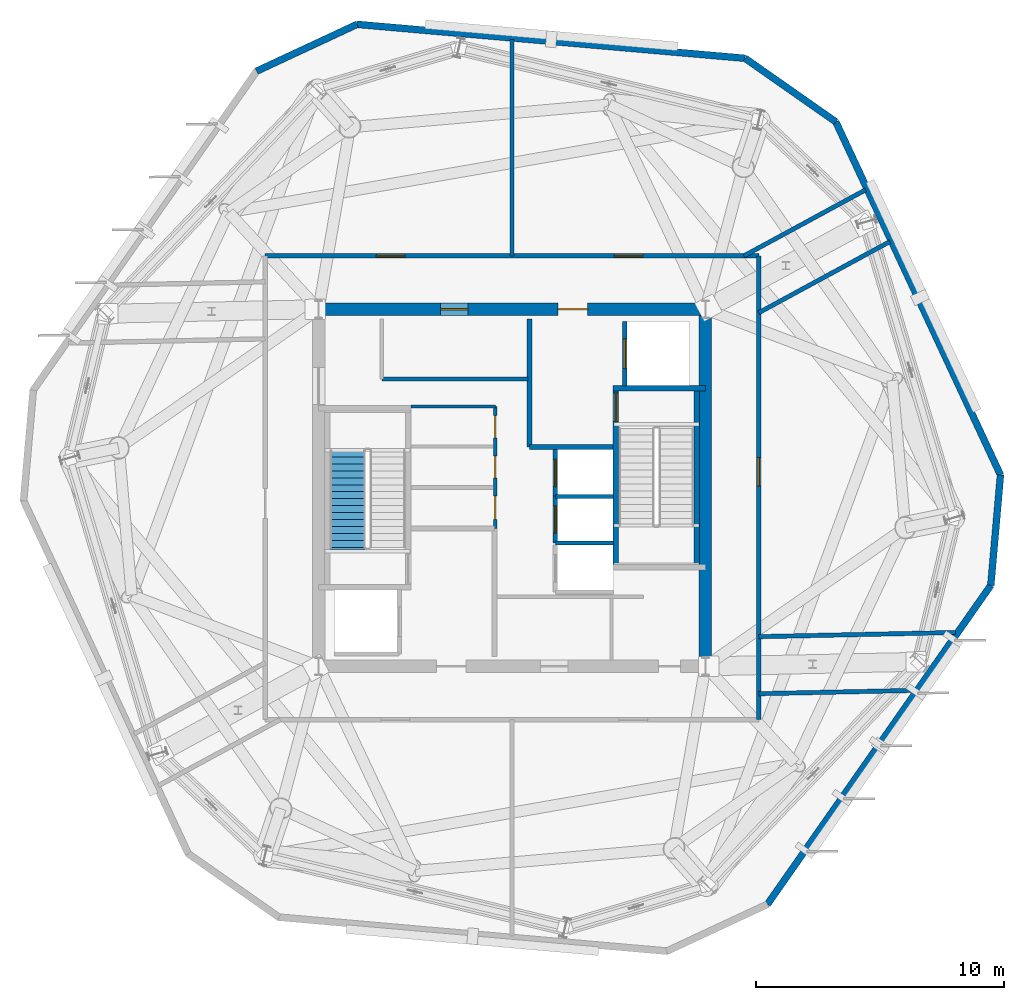
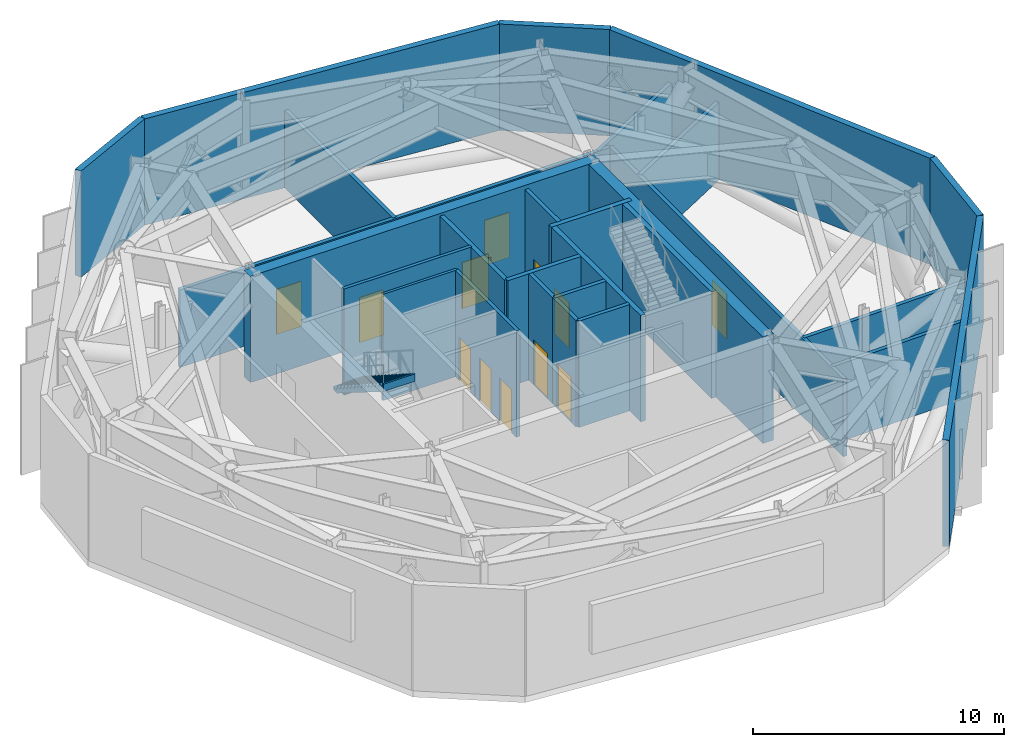
# One storey, part 6 of 10: 28 walls, 12 doors, 1 stair flight, 12 openings, 1 element without a shape of its own.
"""IFC4 building model written with IfcOpenShell, lengths in metres."""

from ifc_helpers import new_model, si_unit, direction, frame, frame_2d, origin, place, context, subcontext, project, spatial, polyline, rectangle, outline, extrude, material, layer, layer_set, type_object, element, fill, aggregate, save


model = new_model("IFC4")

# Units and contexts
model_context = context("Model", 3, precision=1e-05, world=origin(), true_north=direction((0.0, 1.0)))
body_context = subcontext(model_context, "Body", "Model", "MODEL_VIEW")
ifc_project = project(units=[si_unit("LENGTHUNIT", "METRE"), si_unit("AREAUNIT", "SQUARE_METRE"), si_unit("VOLUMEUNIT", "CUBIC_METRE"), si_unit("PLANEANGLEUNIT", "RADIAN"), si_unit("MASSUNIT", "GRAM", prefix="KILO")], contexts=[model_context])

# Site, building, storey
site_placement = place(None, origin())
site = spatial("IfcSite", under=ifc_project, at=site_placement, CompositionType="ELEMENT")
building_placement = place(site_placement, origin())
building = spatial("IfcBuilding", under=site, at=building_placement, Name="Kranzbogen Civic Tower", CompositionType="ELEMENT")
storey_placement = place(building_placement, frame((0.0, 0.0, 244.800048828125)))
storey = spatial("IfcBuildingStorey", under=building, at=storey_placement, Name="L59", CompositionType="ELEMENT", Elevation=244.800048828125)

# Walls
ifc_material_1 = material(Name="Double-Stud Acoustic Gypsum Partition")
ifc_layer_1 = layer(ifc_material_1, 0.14990234375, Name="Double-Stud Acoustic Gypsum Partition")
ifc_layer_set_1 = layer_set([ifc_layer_1], Name="Double-Stud Acoustic Gypsum Partition")
wall_type_1 = type_object("IfcWallType", Name="Acoustic Corridor and Clinical Partition 150 mm", PredefinedType="PARTITIONING", material=ifc_layer_set_1)
wall_1_placement = place(storey_placement, frame((19.75, 29.389892578125, 0.0), z_axis=(0.0, 0.0, 1.0), x_axis=(1.0, 0.0, 0.0)))
element("IfcWall", 1, at=wall_1_placement, inside=storey, type_object=wall_type_1, Name="L59 digital comms South wall", PredefinedType="PARTITIONING", context=body_context, shape_type="SweptSolid", body=[
    extrude(rectangle(XDim=5.89990234375, YDim=0.14990234375, at=frame_2d((2.949951171875, 0.0))), origin(), (0.0, 0.0, 1.0), 5.179931640625),
])
ifc_material_2 = material(Name="Insulated Metal-Stud Gypsum Partition")
ifc_layer_2 = layer(ifc_material_2, 0.125, Name="Insulated Metal-Stud Gypsum Partition")
ifc_layer_set_2 = layer_set([ifc_layer_2], Name="Insulated Metal-Stud Gypsum Partition")
wall_type_2 = type_object("IfcWallType", Name="Acoustic Inter-Room Partition 125 mm", PredefinedType="PARTITIONING", material=ifc_layer_set_2)
wall_2_placement = place(storey_placement, frame((20.919921875, 28.280029296875, 0.0), z_axis=(0.0, 0.0, 1.0), x_axis=(1.0, 0.0, 0.0)))
element("IfcWall", 2, at=wall_2_placement, inside=storey, type_object=wall_type_2, Name="L59 core auxiliary North wall", PredefinedType="PARTITIONING", context=body_context, shape_type="SweptSolid", body=[
    extrude(rectangle(XDim=3.405029296875, YDim=0.125, at=frame_2d((1.70263671875, 0.0))), origin(), (0.0, 0.0, 1.0), 5.179931640625),
])

# Wall, openings, doors
ifc_material_3 = material(Name="Concrete C45/55", Category="concrete")
ifc_layer_3 = layer(ifc_material_3, 0.5, Name="Concrete C45/55")
ifc_layer_set_3 = layer_set([ifc_layer_3], Name="Concrete C45/55")
wall_type_3 = type_object("IfcWallType", Name="Central Core Shear Wall 500 mm", PredefinedType="SHEAR", material=ifc_layer_set_3)
wall_3_placement = place(storey_placement, frame((33.050048828125, 32.199951171875, 0.0), z_axis=(0.0, 0.0, 1.0), x_axis=(-1.0, 0.0, 0.0)))
wall_3 = element("IfcWall", 3, at=wall_3_placement, inside=storey, type_object=wall_type_3, Name="L59 central core North shear wall", PredefinedType="SHEAR", context=body_context, shape_type="SweptSolid", body=[
    extrude(rectangle(XDim=16.10009765625, YDim=0.5, at=frame_2d((8.050048828125, 0.0))), origin(), (0.0, 0.0, 1.0), 5.179931640625),
])
opening_1_placement = place(wall_3_placement, frame((5.0, 0.0, 0.0)))
opening_1 = element("IfcOpeningElement", 4, at=opening_1_placement, cuts=wall_3, Name="Opening D-EX120", PredefinedType="OPENING", context=body_context, shape_type="SweptSolid", body=[
    extrude(rectangle(XDim=1.199951171875, YDim=2.25, at=frame_2d((0.60009765625, 1.125))), frame((0.0, 0.260009765625, 0.0), z_axis=(0.0, -1.0, 0.0), x_axis=(1.0, 0.0, 0.0)), (0.0, 0.0, 1.0), 0.52001953125),
])
opening_2_placement = place(wall_3_placement, frame((9.824951171875, 0.0, 0.0)))
opening_2 = element("IfcOpeningElement", 5, at=opening_2_placement, cuts=wall_3, Name="Opening D-COR60", PredefinedType="OPENING", context=body_context, shape_type="SweptSolid", body=[
    extrude(rectangle(XDim=1.10009765625, YDim=2.199951171875, at=frame_2d((0.550048828125, 1.10009765625))), frame((0.0, 0.260009765625, 0.0), z_axis=(0.0, -1.0, 0.0), x_axis=(1.0, 0.0, 0.0)), (0.0, 0.0, 1.0), 0.52001953125),
])
ifc_material_4 = material(Name="Oak Timber and Fire Core", Category="wood")
door_type_1 = type_object("IfcDoorType", Name="Corridor Acoustic Fire Door 1100x2200", OperationType="NOTDEFINED", PredefinedType="DOOR", material=ifc_material_4)
door_1_placement = place(opening_2_placement, origin())
door_1 = element("IfcDoor", 6, at=door_1_placement, inside=storey, type_object=door_type_1, Name="L59 DAT1 comms room door", OperationType="SINGLE_SWING_RIGHT", OverallHeight=2.199951171875, OverallWidth=1.10009765625, PredefinedType="DOOR", context=body_context, shape_type="SweptSolid", body=[
    extrude(rectangle(XDim=1.10009765625, YDim=2.199951171875, at=frame_2d((0.550048828125, 1.10009765625))), frame((0.0, 0.02490234375, 0.0), z_axis=(0.0, -1.0, 0.0), x_axis=(1.0, 0.0, 0.0)), (0.0, 0.0, 1.0), 0.050048828125),
])
fill(opening_2, door_1)
ifc_material_5 = material(Name="Steel S355", Category="steel")
door_type_2 = type_object("IfcDoorType", Name="Exit Passageway Fire Door 1200x2250", OperationType="NOTDEFINED", PredefinedType="DOOR", material=ifc_material_5)
door_2_placement = place(opening_1_placement, origin())
door_2 = element("IfcDoor", 7, at=door_2_placement, inside=storey, type_object=door_type_2, Name="L59 East firefighting lobby corridor door", OperationType="SINGLE_SWING_RIGHT", OverallHeight=2.25, OverallWidth=1.199951171875, PredefinedType="DOOR", context=body_context, shape_type="SweptSolid", body=[
    extrude(rectangle(XDim=1.199951171875, YDim=2.25, at=frame_2d((0.60009765625, 1.125))), frame((0.0, 0.02490234375, 0.0), z_axis=(0.0, -1.0, 0.0), x_axis=(1.0, 0.0, 0.0)), (0.0, 0.0, 1.0), 0.050048828125),
])
fill(opening_1, door_2)

# Wall
wall_4_placement = place(storey_placement, frame((32.800048828125, 18.050048828125, 0.0), z_axis=(0.0, 0.0, 1.0), x_axis=(0.0, 1.0, 0.0)))
element("IfcWall", 8, at=wall_4_placement, inside=storey, type_object=wall_type_3, Name="L59 central core East shear wall", PredefinedType="SHEAR", context=body_context, shape_type="SweptSolid", body=[
    extrude(rectangle(XDim=13.89990234375, YDim=0.5, at=frame_2d((6.949951171875, 0.0))), origin(), (0.0, 0.0, 1.0), 5.179931640625),
])

# Wall, opening, door
ifc_layer_4 = layer(ifc_material_3, 0.219970703125, Name="Concrete C45/55")
ifc_layer_set_4 = layer_set([ifc_layer_4], Name="Concrete C45/55")
wall_type_4 = type_object("IfcWallType", Name="Core Internal Stair Structural Wall 220 mm", PredefinedType="SOLIDWALL", material=ifc_layer_set_4)
wall_5_placement = place(storey_placement, frame((29.18994140625, 21.7900390625, 0.0), z_axis=(0.0, 0.0, 1.0), x_axis=(0.0, 1.0, 0.0)))
wall_5 = element("IfcWall", 9, at=wall_5_placement, inside=storey, type_object=wall_type_4, Name="L59 ST-T2 West structural stair wall", PredefinedType="SOLIDWALL", context=body_context, shape_type="SweptSolid", body=[
    extrude(rectangle(XDim=7.219970703125, YDim=0.219970703125, at=frame_2d((3.60986328125, 0.0))), origin(), (0.0, 0.0, 1.0), 5.179931640625),
])
opening_3_placement = place(wall_5_placement, frame((5.8798828125, 0.0, 0.0)))
opening_3 = element("IfcOpeningElement", 10, at=opening_3_placement, cuts=wall_5, Name="Opening D-ST90", PredefinedType="OPENING", context=body_context, shape_type="SweptSolid", body=[
    extrude(rectangle(XDim=1.14990234375, YDim=2.199951171875, at=frame_2d((0.574951171875, 1.10009765625))), frame((0.0, 0.1201171875, 0.0), z_axis=(0.0, -1.0, 0.0), x_axis=(1.0, 0.0, 0.0)), (0.0, 0.0, 1.0), 0.239990234375),
])
door_type_3 = type_object("IfcDoorType", Name="Pressurized Stair and Lobby Fire Door 1150x2200", OperationType="NOTDEFINED", PredefinedType="DOOR", material=ifc_material_5)
door_3_placement = place(opening_3_placement, origin())
door_3 = element("IfcDoor", 11, at=door_3_placement, inside=storey, type_object=door_type_3, Name="L59 Stair ST-T2 fire door", OperationType="SINGLE_SWING_RIGHT", OverallHeight=2.199951171875, OverallWidth=1.14990234375, PredefinedType="DOOR", context=body_context, shape_type="SweptSolid", body=[
    extrude(rectangle(XDim=1.14990234375, YDim=2.199951171875, at=frame_2d((0.574951171875, 1.10009765625))), frame((0.0, 0.02490234375, 0.0), z_axis=(0.0, -1.0, 0.0), x_axis=(1.0, 0.0, 0.0)), (0.0, 0.0, 1.0), 0.050048828125),
])
fill(opening_3, door_3)

# Walls
wall_6_placement = place(storey_placement, frame((29.080078125, 29.010009765625, 0.0), z_axis=(0.0, 0.0, 1.0), x_axis=(1.0, 0.0, 0.0)))
element("IfcWall", 12, at=wall_6_placement, inside=storey, type_object=wall_type_4, Name="L59 ST-T2 North structural stair wall", PredefinedType="SOLIDWALL", context=body_context, shape_type="SweptSolid", body=[
    extrude(rectangle(XDim=3.719970703125, YDim=0.219970703125, at=frame_2d((1.85986328125, 0.0))), origin(), (0.0, 0.0, 1.0), 5.179931640625),
])
wall_7_placement = place(storey_placement, frame((32.445068359375, 29.010009765625, 0.0), z_axis=(0.0, 0.0, 1.0), x_axis=(0.0, -1.0, 0.0)))
element("IfcWall", 13, at=wall_7_placement, inside=storey, type_object=wall_type_4, Name="L59 ST-T2 East structural stair wall", PredefinedType="SOLIDWALL", context=body_context, shape_type="SweptSolid", body=[
    extrude(rectangle(XDim=7.219970703125, YDim=0.219970703125, at=frame_2d((3.60986328125, 0.0))), origin(), (0.0, 0.0, 1.0), 5.179931640625),
])
ifc_material_6 = material(Name="Gypsum Fireboard and Concrete Block", Category="concrete")
ifc_layer_5 = layer(ifc_material_6, 0.199951171875, Name="Gypsum Fireboard and Concrete Block")
ifc_layer_set_5 = layer_set([ifc_layer_5], Name="Gypsum Fireboard and Concrete Block")
wall_type_5 = type_object("IfcWallType", Name="Fire-Rated Exit Passageway and Stair Wall 200 mm", PredefinedType="PARTITIONING", material=ifc_layer_set_5)
wall_8_placement = place(storey_placement, frame((25.699951171875, 26.64990234375, 0.0), z_axis=(0.0, 0.0, 1.0), x_axis=(0.0, 1.0, 0.0)))
element("IfcWall", 14, at=wall_8_placement, inside=storey, type_object=wall_type_5, Name="L59 East firefighting lobby West wall", PredefinedType="PARTITIONING", context=body_context, shape_type="SweptSolid", body=[
    extrude(rectangle(XDim=5.150146484375, YDim=0.199951171875, at=frame_2d((2.5751953125, 0.0))), origin(), (0.0, 0.0, 1.0), 5.179931640625),
])
wall_9_placement = place(storey_placement, frame((25.699951171875, 26.64990234375, 0.0), z_axis=(0.0, 0.0, 1.0), x_axis=(1.0, 0.0, 0.0)))
element("IfcWall", 15, at=wall_9_placement, inside=storey, type_object=wall_type_5, Name="L59 East firefighting lobby South wall", PredefinedType="PARTITIONING", context=body_context, shape_type="SweptSolid", body=[
    extrude(rectangle(XDim=3.380126953125, YDim=0.199951171875, at=frame_2d((1.68994140625, 0.0))), origin(), (0.0, 0.0, 1.0), 5.179931640625),
])

# Wall, opening, door
ifc_material_7 = material(Name="Gypsum Fireboard Shaftliner")
ifc_layer_6 = layer(ifc_material_7, 0.175048828125, Name="Gypsum Fireboard Shaftliner")
ifc_layer_set_6 = layer_set([ifc_layer_6], Name="Gypsum Fireboard Shaftliner")
wall_type_6 = type_object("IfcWallType", Name="Fire-Rated Lift and Service Shaft Wall 175 mm", PredefinedType="PARTITIONING", material=ifc_layer_set_6)
wall_10_placement = place(storey_placement, frame((26.75, 22.77490234375, 0.0), z_axis=(0.0, 0.0, 1.0), x_axis=(0.0, 1.0, 0.0)))
wall_10 = element("IfcWall", 16, at=wall_10_placement, inside=storey, type_object=wall_type_6, Name="L59 lift HP-02 landing wall", PredefinedType="PARTITIONING", context=body_context, shape_type="SweptSolid", body=[
    extrude(rectangle(XDim=1.900146484375, YDim=0.175048828125, at=frame_2d((0.9501953125, 0.0))), origin(), (0.0, 0.0, 1.0), 5.179931640625),
])
opening_4_placement = place(wall_10_placement, frame((0.39990234375, 0.0, 0.0)))
opening_4 = element("IfcOpeningElement", 17, at=opening_4_placement, cuts=wall_10, Name="Opening LD-HP-02", PredefinedType="OPENING", context=body_context, shape_type="SweptSolid", body=[
    extrude(rectangle(XDim=1.10009765625, YDim=2.199951171875, at=frame_2d((0.550048828125, 1.10009765625))), frame((0.0, 0.09765625, 0.0), z_axis=(0.0, -1.0, 0.0), x_axis=(1.0, 0.0, 0.0)), (0.0, 0.0, 1.0), 0.195068359375),
])
ifc_material_8 = material(Name="Pale Anodised Aluminium", Category="aluminium")
door_type_4 = type_object("IfcDoorType", Name="Passenger Lift Sliding Landing Door 1100x2200", OperationType="DOUBLE_DOOR_SLIDING", PredefinedType="DOOR", material=ifc_material_8)
door_4_placement = place(opening_4_placement, origin())
door_4 = element("IfcDoor", 18, at=door_4_placement, inside=storey, type_object=door_type_4, Name="L59 lift HP-02 sliding landing door", OperationType="DOUBLE_DOOR_SLIDING", OverallHeight=2.199951171875, OverallWidth=1.10009765625, PredefinedType="DOOR", context=body_context, shape_type="SweptSolid", body=[
    extrude(rectangle(XDim=1.10009765625, YDim=2.199951171875, at=frame_2d((0.550048828125, 1.10009765625))), frame((0.0, 0.02490234375, 0.0), z_axis=(0.0, -1.0, 0.0), x_axis=(1.0, 0.0, 0.0)), (0.0, 0.0, 1.0), 0.050048828125),
])
fill(opening_4, door_4)

# Wall
wall_11_placement = place(storey_placement, frame((26.75, 22.77490234375, 0.0), z_axis=(0.0, 0.0, 1.0), x_axis=(1.0, 0.0, 0.0)))
element("IfcWall", 19, at=wall_11_placement, inside=storey, type_object=wall_type_6, Name="L59 lift HP-02 side wall", PredefinedType="PARTITIONING", context=body_context, shape_type="SweptSolid", body=[
    extrude(rectangle(XDim=2.35009765625, YDim=0.175048828125, at=frame_2d((1.175048828125, 0.0))), origin(), (0.0, 0.0, 1.0), 5.179931640625),
])

# Wall, opening, door
wall_12_placement = place(storey_placement, frame((26.75, 24.64990234375, 0.0), z_axis=(0.0, 0.0, 1.0), x_axis=(0.0, 1.0, 0.0)))
wall_12 = element("IfcWall", 20, at=wall_12_placement, inside=storey, type_object=wall_type_6, Name="L59 lift HP-03 landing wall", PredefinedType="PARTITIONING", context=body_context, shape_type="SweptSolid", body=[
    extrude(rectangle(XDim=1.900146484375, YDim=0.175048828125, at=frame_2d((0.9501953125, 0.0))), origin(), (0.0, 0.0, 1.0), 5.179931640625),
])
opening_5_placement = place(wall_12_placement, frame((0.39990234375, 0.0, 0.0)))
opening_5 = element("IfcOpeningElement", 21, at=opening_5_placement, cuts=wall_12, Name="Opening LD-HP-03", PredefinedType="OPENING", context=body_context, shape_type="SweptSolid", body=[
    extrude(rectangle(XDim=1.10009765625, YDim=2.199951171875, at=frame_2d((0.550048828125, 1.10009765625))), frame((0.0, 0.09765625, 0.0), z_axis=(0.0, -1.0, 0.0), x_axis=(1.0, 0.0, 0.0)), (0.0, 0.0, 1.0), 0.195068359375),
])
door_5_placement = place(opening_5_placement, origin())
door_5 = element("IfcDoor", 22, at=door_5_placement, inside=storey, type_object=door_type_4, Name="L59 lift HP-03 sliding landing door", OperationType="DOUBLE_DOOR_SLIDING", OverallHeight=2.199951171875, OverallWidth=1.10009765625, PredefinedType="DOOR", context=body_context, shape_type="SweptSolid", body=[
    extrude(rectangle(XDim=1.10009765625, YDim=2.199951171875, at=frame_2d((0.550048828125, 1.10009765625))), frame((0.0, 0.02490234375, 0.0), z_axis=(0.0, -1.0, 0.0), x_axis=(1.0, 0.0, 0.0)), (0.0, 0.0, 1.0), 0.050048828125),
])
fill(opening_5, door_5)

# Wall
wall_13_placement = place(storey_placement, frame((26.75, 24.64990234375, 0.0), z_axis=(0.0, 0.0, 1.0), x_axis=(1.0, 0.0, 0.0)))
element("IfcWall", 23, at=wall_13_placement, inside=storey, type_object=wall_type_6, Name="L59 lift HP-03 side wall", PredefinedType="PARTITIONING", context=body_context, shape_type="SweptSolid", body=[
    extrude(rectangle(XDim=2.35009765625, YDim=0.175048828125, at=frame_2d((1.175048828125, 0.0))), origin(), (0.0, 0.0, 1.0), 5.179931640625),
])

# Wall, opening, door
wall_14_placement = place(storey_placement, frame((29.550048828125, 29.10009765625, 0.0), z_axis=(0.0, 0.0, 1.0), x_axis=(0.0, 1.0, 0.0)))
wall_14 = element("IfcWall", 24, at=wall_14_placement, inside=storey, type_object=wall_type_6, Name="L59 lift FF-02 landing wall", PredefinedType="PARTITIONING", context=body_context, shape_type="SweptSolid", body=[
    extrude(rectangle(XDim=2.599853515625, YDim=0.175048828125, at=frame_2d((1.2998046875, 0.0))), origin(), (0.0, 0.0, 1.0), 5.179931640625),
])
opening_6_placement = place(wall_14_placement, frame((0.699951171875, 0.0, 0.0)))
opening_6 = element("IfcOpeningElement", 25, at=opening_6_placement, cuts=wall_14, Name="Opening LD-FF-02", PredefinedType="OPENING", context=body_context, shape_type="SweptSolid", body=[
    extrude(rectangle(XDim=1.199951171875, YDim=2.199951171875, at=frame_2d((0.60009765625, 1.10009765625))), frame((0.0, 0.09765625, 0.0), z_axis=(0.0, -1.0, 0.0), x_axis=(1.0, 0.0, 0.0)), (0.0, 0.0, 1.0), 0.195068359375),
])
door_type_5 = type_object("IfcDoorType", Name="Firefighting and Stretcher Lift Sliding Landing Door 1200x2200", OperationType="DOUBLE_DOOR_SLIDING", PredefinedType="DOOR", material=ifc_material_8)
door_6_placement = place(opening_6_placement, origin())
door_6 = element("IfcDoor", 26, at=door_6_placement, inside=storey, type_object=door_type_5, Name="L59 lift FF-02 sliding landing door", OperationType="DOUBLE_DOOR_SLIDING", OverallHeight=2.199951171875, OverallWidth=1.199951171875, PredefinedType="DOOR", context=body_context, shape_type="SweptSolid", body=[
    extrude(rectangle(XDim=1.199951171875, YDim=2.199951171875, at=frame_2d((0.60009765625, 1.10009765625))), frame((0.0, 0.02490234375, 0.0), z_axis=(0.0, -1.0, 0.0), x_axis=(1.0, 0.0, 0.0)), (0.0, 0.0, 1.0), 0.050048828125),
])
fill(opening_6, door_6)

# Wall, openings, doors
wall_15_placement = place(storey_placement, frame((15.050048828125, 34.35009765625, 0.0), z_axis=(0.0, 0.0, 1.0), x_axis=(1.0, 0.0, 0.0)))
wall_15 = element("IfcWall", 27, at=wall_15_placement, inside=storey, type_object=wall_type_6, Name="L59 corridor partition 01", PredefinedType="PARTITIONING", context=body_context, shape_type="SweptSolid", body=[
    extrude(rectangle(XDim=19.89990234375, YDim=0.175048828125, at=frame_2d((9.949951171875, 0.0))), origin(), (0.0, 0.0, 1.0), 3.780029296875),
])
opening_7_placement = place(wall_15_placement, frame((14.072998046875, 0.0, 0.0)))
opening_7 = element("IfcOpeningElement", 28, at=opening_7_placement, cuts=wall_15, Name="Opening D-ST90", PredefinedType="OPENING", context=body_context, shape_type="SweptSolid", body=[
    extrude(rectangle(XDim=1.14990234375, YDim=2.199951171875, at=frame_2d((0.574951171875, 1.10009765625))), frame((0.0, 0.09765625, 0.0), z_axis=(0.0, -1.0, 0.0), x_axis=(1.0, 0.0, 0.0)), (0.0, 0.0, 1.0), 0.195068359375),
])
opening_8_placement = place(wall_15_placement, frame((4.47705078125, 0.0, 0.0)))
opening_8 = element("IfcOpeningElement", 29, at=opening_8_placement, cuts=wall_15, Name="Opening D-ST90", PredefinedType="OPENING", context=body_context, shape_type="SweptSolid", body=[
    extrude(rectangle(XDim=1.14990234375, YDim=2.199951171875, at=frame_2d((0.574951171875, 1.10009765625))), frame((0.0, 0.09765625, 0.0), z_axis=(0.0, -1.0, 0.0), x_axis=(1.0, 0.0, 0.0)), (0.0, 0.0, 1.0), 0.195068359375),
])
door_7_placement = place(opening_7_placement, origin())
door_7 = element("IfcDoor", 30, at=door_7_placement, inside=storey, type_object=door_type_3, Name="L59 Smoke Extract Pressurization Plant door", OperationType="SINGLE_SWING_LEFT", OverallHeight=2.199951171875, OverallWidth=1.14990234375, PredefinedType="DOOR", context=body_context, shape_type="SweptSolid", body=[
    extrude(rectangle(XDim=1.14990234375, YDim=2.199951171875, at=frame_2d((0.574951171875, 1.10009765625))), frame((0.0, 0.02490234375, 0.0), z_axis=(0.0, -1.0, 0.0), x_axis=(1.0, 0.0, 0.0)), (0.0, 0.0, 1.0), 0.050048828125),
])
fill(opening_7, door_7)
door_8_placement = place(opening_8_placement, origin())
door_8 = element("IfcDoor", 31, at=door_8_placement, inside=storey, type_object=door_type_3, Name="L59 Domestic Booster Water Plant door", OperationType="SINGLE_SWING_RIGHT", OverallHeight=2.199951171875, OverallWidth=1.14990234375, PredefinedType="DOOR", context=body_context, shape_type="SweptSolid", body=[
    extrude(rectangle(XDim=1.14990234375, YDim=2.199951171875, at=frame_2d((0.574951171875, 1.10009765625))), frame((0.0, 0.02490234375, 0.0), z_axis=(0.0, -1.0, 0.0), x_axis=(1.0, 0.0, 0.0)), (0.0, 0.0, 1.0), 0.050048828125),
])
fill(opening_8, door_8)

# Wall, opening, door
wall_16_placement = place(storey_placement, frame((34.949951171875, 34.35009765625, 0.0), z_axis=(0.0, 0.0, 1.0), x_axis=(0.0, -1.0, 0.0)))
wall_16 = element("IfcWall", 32, at=wall_16_placement, inside=storey, type_object=wall_type_6, Name="L59 corridor partition 02", PredefinedType="PARTITIONING", context=body_context, shape_type="SweptSolid", body=[
    extrude(rectangle(XDim=18.7001953125, YDim=0.175048828125, at=frame_2d((9.35009765625, 0.0))), origin(), (0.0, 0.0, 1.0), 3.780029296875),
])
opening_9_placement = place(wall_16_placement, frame((8.136962890625, 0.0, 0.0)))
opening_9 = element("IfcOpeningElement", 33, at=opening_9_placement, cuts=wall_16, Name="Opening D-ST90", PredefinedType="OPENING", context=body_context, shape_type="SweptSolid", body=[
    extrude(rectangle(XDim=1.14990234375, YDim=2.199951171875, at=frame_2d((0.574951171875, 1.10009765625))), frame((0.0, 0.09765625, 0.0), z_axis=(0.0, -1.0, 0.0), x_axis=(1.0, 0.0, 0.0)), (0.0, 0.0, 1.0), 0.195068359375),
])
door_9_placement = place(opening_9_placement, origin())
door_9 = element("IfcDoor", 34, at=door_9_placement, inside=storey, type_object=door_type_3, Name="L59 Medium Voltage Switchgear and UPS Room door", OperationType="SINGLE_SWING_RIGHT", OverallHeight=2.199951171875, OverallWidth=1.14990234375, PredefinedType="DOOR", context=body_context, shape_type="SweptSolid", body=[
    extrude(rectangle(XDim=1.14990234375, YDim=2.199951171875, at=frame_2d((0.574951171875, 1.10009765625))), frame((0.0, 0.02490234375, 0.0), z_axis=(0.0, -1.0, 0.0), x_axis=(1.0, 0.0, 0.0)), (0.0, 0.0, 1.0), 0.050048828125),
])
fill(opening_9, door_9)

# Walls
wall_17_placement = place(storey_placement, frame((34.949951171875, 16.696044921875, 0.0), z_axis=(0.0, 0.0, 1.0), x_axis=(0.99977397531, 0.021260251479, 0.0)))
element("IfcWall", 35, at=wall_17_placement, inside=storey, type_object=wall_type_6, Name="L59 radial room partition 03", PredefinedType="PARTITIONING", context=body_context, shape_type="SweptSolid", body=[
    extrude(rectangle(XDim=6.304443359375, YDim=0.175048828125, at=frame_2d((3.15234375, 0.0))), origin(), (0.0, 0.0, 1.0), 3.780029296875),
])
wall_18_placement = place(storey_placement, frame((34.949951171875, 18.99609375, 0.0), z_axis=(0.0, 0.0, 1.0), x_axis=(0.9997735909, 0.021278320874, 0.0)))
element("IfcWall", 36, at=wall_18_placement, inside=storey, type_object=wall_type_6, Name="L59 radial room partition 04", PredefinedType="PARTITIONING", context=body_context, shape_type="SweptSolid", body=[
    extrude(rectangle(XDim=7.939697265625, YDim=0.175048828125, at=frame_2d((3.9697265625, 0.0))), origin(), (0.0, 0.0, 1.0), 3.780029296875),
])
wall_19_placement = place(storey_placement, frame((34.949951171875, 32.05810546875, 0.0), z_axis=(0.0, 0.0, 1.0), x_axis=(0.878919599329, 0.476969954939, 0.0)))
element("IfcWall", 37, at=wall_19_placement, inside=storey, type_object=wall_type_6, Name="L59 radial room partition 05", PredefinedType="PARTITIONING", context=body_context, shape_type="SweptSolid", body=[
    extrude(rectangle(XDim=6.0107421875, YDim=0.175048828125, at=frame_2d((3.00537109375, 0.0))), origin(), (0.0, 0.0, 1.0), 3.780029296875),
])
wall_20_placement = place(storey_placement, frame((34.35107421875, 34.35009765625, 0.0), z_axis=(0.0, 0.0, 1.0), x_axis=(0.878891138972, 0.477022395529, 0.0)))
element("IfcWall", 38, at=wall_20_placement, inside=storey, type_object=wall_type_6, Name="L59 radial room partition 06", PredefinedType="PARTITIONING", context=body_context, shape_type="SweptSolid", body=[
    extrude(rectangle(XDim=5.584228515625, YDim=0.175048828125, at=frame_2d((2.7919921875, 0.0))), origin(), (0.0, 0.0, 1.0), 3.780029296875),
])
wall_21_placement = place(storey_placement, frame((25.0, 34.35009765625, 0.0), z_axis=(0.0, 0.0, 1.0), x_axis=(0.0, 1.0, 0.0)))
element("IfcWall", 39, at=wall_21_placement, inside=storey, type_object=wall_type_6, Name="L59 radial room partition 09", PredefinedType="PARTITIONING", context=body_context, shape_type="SweptSolid", body=[
    extrude(rectangle(XDim=8.718994140625, YDim=0.175048828125, at=frame_2d((4.359375, 0.0))), origin(), (0.0, 0.0, 1.0), 3.780029296875),
])
ifc_layer_7 = layer(ifc_material_8, 0.280029296875, Name="Pale Anodised Aluminium")
ifc_layer_set_7 = layer_set([ifc_layer_7], Name="Pale Anodised Aluminium")
wall_type_7 = type_object("IfcWallType", Name="Plant Acoustic Insulated Spandrel Wall 280 mm", PredefinedType="STANDARD", material=ifc_layer_set_7)
wall_22_placement = place(storey_placement, frame((34.39892578125, 42.318115234375, 0.0), z_axis=(0.0, 0.0, 1.0), x_axis=(-0.996195370644, 0.087148055094, 0.0)))
element("IfcWall", 40, at=wall_22_placement, inside=storey, type_object=wall_type_7, Name="L59 mechanical plant spandrel wall M1", PredefinedType="STANDARD", context=body_context, shape_type="SweptSolid", body=[
    extrude(rectangle(XDim=15.707763671875, YDim=0.280029296875, at=frame_2d((7.85400390625, 0.0))), origin(), (0.0, 0.0, 1.0), 5.179931640625),
])
wall_23_placement = place(storey_placement, frame((18.7509765625, 43.68701171875, 0.0), z_axis=(0.0, 0.0, 1.0), x_axis=(-0.906361723837, -0.422502574624, 0.0)))
element("IfcWall", 41, at=wall_23_placement, inside=storey, type_object=wall_type_7, Name="L59 mechanical plant spandrel wall C1", PredefinedType="STANDARD", context=body_context, shape_type="SweptSolid", body=[
    extrude(rectangle(XDim=4.468505859375, YDim=0.280029296875, at=frame_2d((2.234375, 0.0))), origin(), (0.0, 0.0, 1.0), 5.179931640625),
])
wall_24_placement = place(storey_placement, frame((35.299072265625, 8.200927734375, 0.0), z_axis=(0.0, 0.0, 1.0), x_axis=(0.573547879244, 0.819172039449, 0.0)))
element("IfcWall", 42, at=wall_24_placement, inside=storey, type_object=wall_type_7, Name="L59 mechanical plant spandrel wall M5", PredefinedType="STANDARD", context=body_context, shape_type="SweptSolid", body=[
    extrude(rectangle(XDim=15.70751953125, YDim=0.280029296875, at=frame_2d((7.853759765625, 0.0))), origin(), (0.0, 0.0, 1.0), 5.179931640625),
])
wall_25_placement = place(storey_placement, frame((44.30810546875, 21.068115234375, 0.0), z_axis=(0.0, 0.0, 1.0), x_axis=(0.087263880994, 0.996185231307, 0.0)))
element("IfcWall", 43, at=wall_25_placement, inside=storey, type_object=wall_type_7, Name="L59 mechanical plant spandrel wall C5", PredefinedType="STANDARD", context=body_context, shape_type="SweptSolid", body=[
    extrude(rectangle(XDim=4.468017578125, YDim=0.280029296875, at=frame_2d((2.23388671875, 0.0))), origin(), (0.0, 0.0, 1.0), 5.179931640625),
])
wall_26_placement = place(storey_placement, frame((44.697998046875, 25.51904296875, 0.0), z_axis=(0.0, 0.0, 1.0), x_axis=(-0.422651460509, 0.906292305456, 0.0)))
element("IfcWall", 44, at=wall_26_placement, inside=storey, type_object=wall_type_7, Name="L59 mechanical plant spandrel wall M6", PredefinedType="STANDARD", context=body_context, shape_type="SweptSolid", body=[
    extrude(rectangle(XDim=15.707763671875, YDim=0.280029296875, at=frame_2d((7.85400390625, 0.0))), origin(), (0.0, 0.0, 1.0), 5.179931640625),
])
wall_27_placement = place(storey_placement, frame((38.05908203125, 39.7548828125, 0.0), z_axis=(0.0, 0.0, 1.0), x_axis=(-0.819113829151, 0.573631009355, 0.0)))
element("IfcWall", 45, at=wall_27_placement, inside=storey, type_object=wall_type_7, Name="L59 mechanical plant spandrel wall C6", PredefinedType="STANDARD", context=body_context, shape_type="SweptSolid", body=[
    extrude(rectangle(XDim=4.468505859375, YDim=0.280029296875, at=frame_2d((2.234375, 0.0))), origin(), (0.0, 0.0, 1.0), 5.179931640625),
])

# Wall, openings, doors
ifc_material_9 = material(Name="Moisture-Resistant Gypsum Assembly")
ifc_layer_8 = layer(ifc_material_9, 0.159912109375, Name="Moisture-Resistant Gypsum Assembly")
ifc_layer_set_8 = layer_set([ifc_layer_8], Name="Moisture-Resistant Gypsum Assembly")
wall_type_8 = type_object("IfcWallType", Name="Sanitary and Plumbing Wet Wall 160 mm", PredefinedType="PLUMBINGWALL", material=ifc_layer_set_8)
wall_28_placement = place(storey_placement, frame((24.324951171875, 23.35009765625, 0.0), z_axis=(0.0, 0.0, 1.0), x_axis=(0.0, 1.0, 0.0)))
wall_28 = element("IfcWall", 46, at=wall_28_placement, inside=storey, type_object=wall_type_8, Name="L59 core auxiliary East wall", PredefinedType="PLUMBINGWALL", context=body_context, shape_type="SweptSolid", body=[
    extrude(rectangle(XDim=4.929931640625, YDim=0.159912109375, at=frame_2d((2.46484375, 0.0))), origin(), (0.0, 0.0, 1.0), 5.179931640625),
])
opening_10_placement = place(wall_28_placement, frame((0.375, 0.0, 0.0)))
opening_10 = element("IfcOpeningElement", 47, at=opening_10_placement, cuts=wall_28, Name="Opening D-AWC95", PredefinedType="OPENING", context=body_context, shape_type="SweptSolid", body=[
    extrude(rectangle(XDim=0.949951171875, YDim=2.10009765625, at=frame_2d((0.47509765625, 1.050048828125))), frame((0.0, 0.08984375, 0.0), z_axis=(0.0, -1.0, 0.0), x_axis=(1.0, 0.0, 0.0)), (0.0, 0.0, 1.0), 0.179931640625),
])
opening_11_placement = place(wall_28_placement, frame((2.034912109375, 0.0, 0.0)))
opening_11 = element("IfcOpeningElement", 48, at=opening_11_placement, cuts=wall_28, Name="Opening D-WC90", PredefinedType="OPENING", context=body_context, shape_type="SweptSolid", body=[
    extrude(rectangle(XDim=0.89990234375, YDim=2.10009765625, at=frame_2d((0.449951171875, 1.050048828125))), frame((0.0, 0.08984375, 0.0), z_axis=(0.0, -1.0, 0.0), x_axis=(1.0, 0.0, 0.0)), (0.0, 0.0, 1.0), 0.179931640625),
])
opening_12_placement = place(wall_28_placement, frame((3.659912109375, 0.0, 0.0)))
opening_12 = element("IfcOpeningElement", 49, at=opening_12_placement, cuts=wall_28, Name="Opening D-WC90", PredefinedType="OPENING", context=body_context, shape_type="SweptSolid", body=[
    extrude(rectangle(XDim=0.89990234375, YDim=2.10009765625, at=frame_2d((0.449951171875, 1.050048828125))), frame((0.0, 0.08984375, 0.0), z_axis=(0.0, -1.0, 0.0), x_axis=(1.0, 0.0, 0.0)), (0.0, 0.0, 1.0), 0.179931640625),
])
ifc_material_10 = material(Name="Moisture-Resistant Laminate")
door_type_6 = type_object("IfcDoorType", Name="Accessible Restroom Door 950x2100", OperationType="NOTDEFINED", PredefinedType="DOOR", material=ifc_material_10)
door_10_placement = place(opening_10_placement, origin())
door_10 = element("IfcDoor", 50, at=door_10_placement, inside=storey, type_object=door_type_6, Name="L59 Accessible Restroom door", OperationType="SINGLE_SWING_LEFT", OverallHeight=2.10009765625, OverallWidth=0.949951171875, PredefinedType="DOOR", context=body_context, shape_type="SweptSolid", body=[
    extrude(rectangle(XDim=0.949951171875, YDim=2.10009765625, at=frame_2d((0.47509765625, 1.050048828125))), frame((0.0, 0.02490234375, 0.0), z_axis=(0.0, -1.0, 0.0), x_axis=(1.0, 0.0, 0.0)), (0.0, 0.0, 1.0), 0.050048828125),
])
fill(opening_10, door_10)
door_type_7 = type_object("IfcDoorType", Name="Standard Restroom and Store Door 900x2100", OperationType="NOTDEFINED", PredefinedType="DOOR", material=ifc_material_10)
door_11_placement = place(opening_11_placement, origin())
door_11 = element("IfcDoor", 51, at=door_11_placement, inside=storey, type_object=door_type_7, Name="L59 Staff Restroom door", OperationType="SINGLE_SWING_RIGHT", OverallHeight=2.10009765625, OverallWidth=0.89990234375, PredefinedType="DOOR", context=body_context, shape_type="SweptSolid", body=[
    extrude(rectangle(XDim=0.89990234375, YDim=2.10009765625, at=frame_2d((0.449951171875, 1.050048828125))), frame((0.0, 0.02490234375, 0.0), z_axis=(0.0, -1.0, 0.0), x_axis=(1.0, 0.0, 0.0)), (0.0, 0.0, 1.0), 0.050048828125),
])
fill(opening_11, door_11)
door_12_placement = place(opening_12_placement, origin())
door_12 = element("IfcDoor", 52, at=door_12_placement, inside=storey, type_object=door_type_7, Name="L59 Cleaner and Janitor Store door", OperationType="SINGLE_SWING_LEFT", OverallHeight=2.10009765625, OverallWidth=0.89990234375, PredefinedType="DOOR", context=body_context, shape_type="SweptSolid", body=[
    extrude(rectangle(XDim=0.89990234375, YDim=2.10009765625, at=frame_2d((0.449951171875, 1.050048828125))), frame((0.0, 0.02490234375, 0.0), z_axis=(0.0, -1.0, 0.0), x_axis=(1.0, 0.0, 0.0)), (0.0, 0.0, 1.0), 0.050048828125),
])
fill(opening_12, door_12)

# Stair, stair flight
ifc_material_11 = material(Name="Precast concrete C40/50", Category="concrete")
stair_type = type_object("IfcStairType", Name="Tower Core Pressurized Dogleg Stair 1450", PredefinedType="HALF_TURN_STAIR", material=ifc_material_11)
stair_placement = place(storey_placement, origin())
stair = element("IfcStair", 53, at=stair_placement, inside=storey, type_object=stair_type, Name="L59 Tower Core Pressurized Stair 1", PredefinedType="HALF_TURN_STAIR")
stair_flight_type = type_object("IfcStairFlightType", Name="Precast Concrete Stair Flight R180", PredefinedType="STRAIGHT", material=ifc_material_11)
stair_flight_placement = place(storey_placement, frame((18.375, 26.52001953125, 2.699951171875), z_axis=(0.0, 0.0, 1.0), x_axis=(0.0, -1.0, 0.0)))
stair_flight = element("IfcStairFlight", 54, at=stair_flight_placement, type_object=stair_flight_type, Name="ST-T1 flight 2", NumberOfRisers=15, NumberOfTreads=14, PredefinedType="STRAIGHT", RiserHeight=0.18, TreadLength=0.28, context=body_context, shape_type="SweptSolid", body=[
    extrude(outline(polyline([(0.0, 0.0), (0.0, 0.179931640625), (0.280029296875, 0.179931640625), (0.280029296875, 0.360107421875), (0.56005859375, 0.360107421875), (0.56005859375, 0.5400390625), (0.840087890625, 0.5400390625), (0.840087890625, 0.719970703125), (1.1201171875, 0.719970703125), (1.1201171875, 0.89990234375), (1.39990234375, 0.89990234375), (1.39990234375, 1.080078125), (1.679931640625, 1.080078125), (1.679931640625, 1.260009765625), (1.9599609375, 1.260009765625), (1.9599609375, 1.43994140625), (2.239990234375, 1.43994140625), (2.239990234375, 1.6201171875), (2.52001953125, 1.6201171875), (2.52001953125, 1.800048828125), (2.800048828125, 1.800048828125), (2.800048828125, 1.97998046875), (3.080078125, 1.97998046875), (3.080078125, 2.159912109375), (3.360107421875, 2.159912109375), (3.360107421875, 2.340087890625), (3.639892578125, 2.340087890625), (3.639892578125, 2.52001953125), (3.919921875, 2.52001953125), (3.919921875, 2.699951171875), (4.0, 2.699951171875), (4.0, 2.341796875), (0.277099609375, 0.0), (0.0, 0.0)])), frame((0.0, 0.72509765625, 0.0), z_axis=(0.0, -1.0, 0.0), x_axis=(1.0, 0.0, 0.0)), (0.0, 0.0, 1.0), 1.449951171875),
])
aggregate(stair, [stair_flight])

save(model, "model.ifc")
